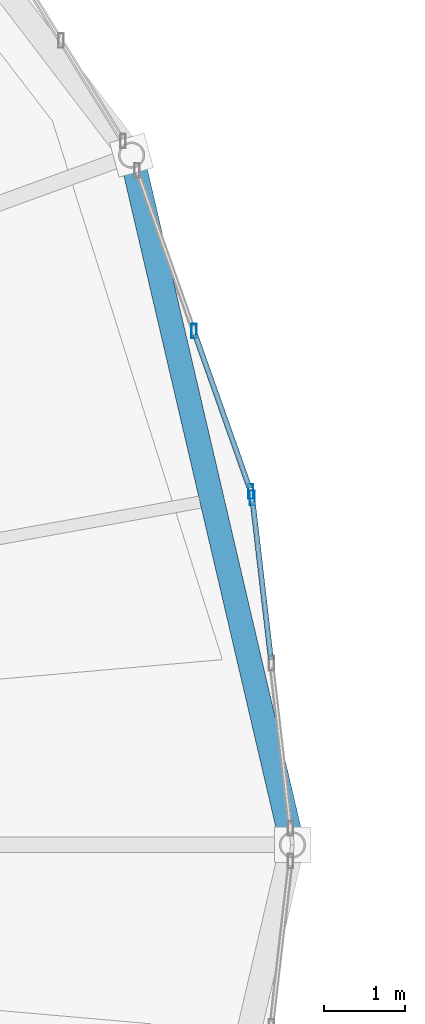
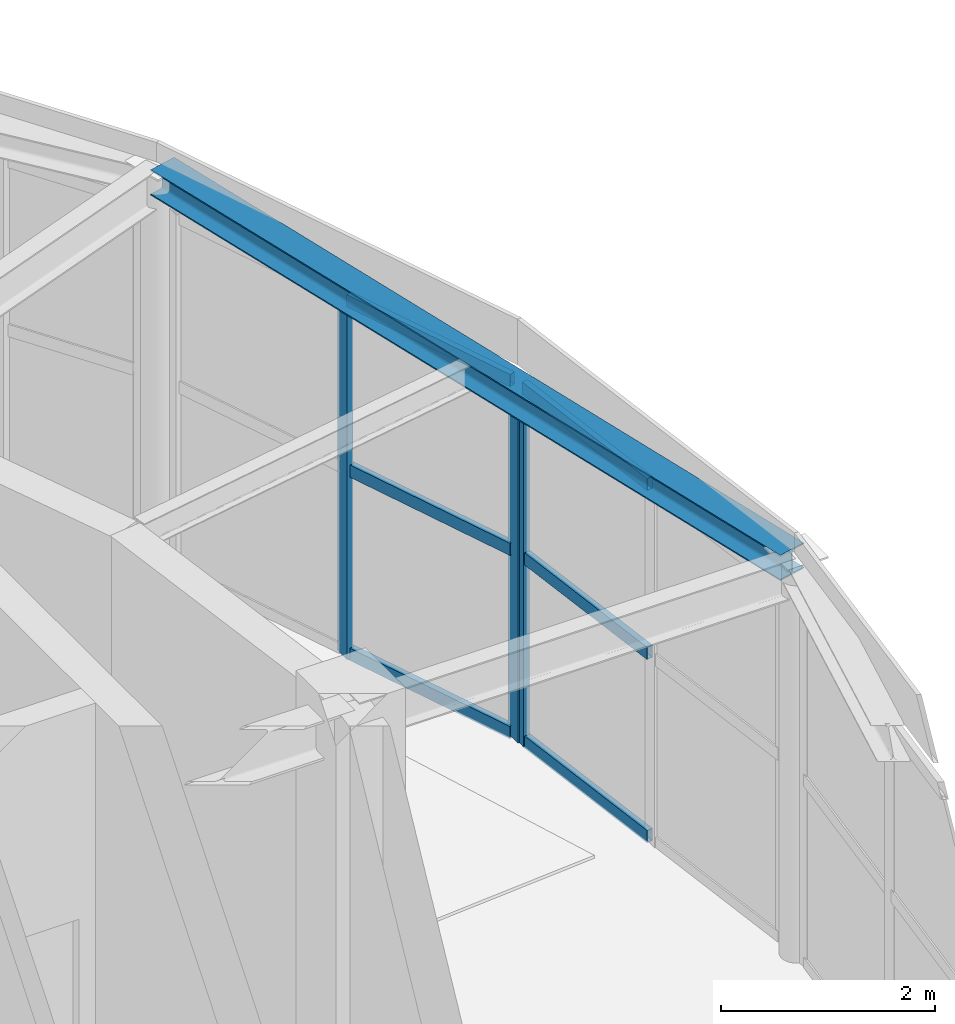
# One storey, part 48 of 108: 9 members, 1 beam, 2 elements without a shape of their own.
"""IFC4 building model written with IfcOpenShell, lengths in metres."""

from ifc_helpers import new_model, si_unit, direction, frame, origin, origin_2d, place, context, subcontext, project, spatial, hollow_rectangle, i_section, extrude, material, material_profile, profile_set, type_object, element, aggregate, save


model = new_model("IFC4")

# Units and contexts
model_context = context("Model", 3, precision=1e-05, world=origin(), true_north=direction((0.0, 1.0)))
body_context = subcontext(model_context, "Body", "Model", "MODEL_VIEW")
ifc_project = project(units=[si_unit("LENGTHUNIT", "METRE"), si_unit("AREAUNIT", "SQUARE_METRE"), si_unit("VOLUMEUNIT", "CUBIC_METRE"), si_unit("PLANEANGLEUNIT", "RADIAN"), si_unit("MASSUNIT", "GRAM", prefix="KILO")], contexts=[model_context])

# Site, building, storey
site_placement = place(None, origin())
site = spatial("IfcSite", under=ifc_project, at=site_placement, CompositionType="ELEMENT")
building_placement = place(site_placement, origin())
building = spatial("IfcBuilding", under=site, at=building_placement, Name="Tarnveldt Headland Concert Hall", CompositionType="ELEMENT")
storey_placement = place(building_placement, frame((0.0, 0.0, 9.60009765625)))
storey = spatial("IfcBuildingStorey", under=building, at=storey_placement, Name="L02", CompositionType="ELEMENT", Elevation=9.60009765625)

# Curtain wall, member
ifc_material_1 = material(Name="Marine-anodised aluminium EN AW-6063-T6", Category="aluminium")
curtain_wall_type = type_object("IfcCurtainWallType", Name="CW-F3", PredefinedType="NOTDEFINED", material=ifc_material_1)
curtain_wall_1_placement = place(storey_placement, origin())
curtain_wall_1 = element("IfcCurtainWall", 1, at=curtain_wall_1_placement, inside=storey, type_object=curtain_wall_type, Name="Curtain wall CW-L02-060", PredefinedType="NOTDEFINED")
ifc_material_profile_1 = material_profile(ifc_material_1, hollow_rectangle(XDim=0.06494140625, YDim=0.179931640625, WallThickness=0.00390625, at=origin_2d()), Name="ALU MULLION 65x180x4", Category="aluminium")
ifc_profile_set_1 = profile_set([ifc_material_profile_1], Name="Marine-anodised aluminium EN AW-6063-T6")
member_type_1 = type_object("IfcMemberType", Name="ML-180", PredefinedType="MULLION", material=ifc_profile_set_1)
member_1_placement = place(storey_placement, frame((115.806396484375, 58.766845703125, 0.0), z_axis=(0.0, 0.0, 1.0), x_axis=(1.0, 0.0, 0.0)))
member_1 = element("IfcMember", 2, at=member_1_placement, type_object=member_type_1, Name="Mullion CW-L02-060-3", PredefinedType="MULLION", context=body_context, shape_type="SweptSolid", body=[
    extrude(hollow_rectangle(XDim=0.06494140625, YDim=0.179931640625, WallThickness=0.00390625, at=origin_2d()), origin(), (0.0, 0.0, 1.0), 4.10791015625),
])

# Curtain wall, members
curtain_wall_2_placement = place(storey_placement, origin())
curtain_wall_2 = element("IfcCurtainWall", 3, at=curtain_wall_2_placement, inside=storey, type_object=curtain_wall_type, Name="Curtain wall CW-L02-061", PredefinedType="NOTDEFINED")
member_2_placement = place(storey_placement, frame((115.788330078125, 58.84423828125, 0.0), z_axis=(0.0, 0.0, 1.0), x_axis=(1.0, 0.0, 0.0)))
member_2 = element("IfcMember", 4, at=member_2_placement, type_object=member_type_1, Name="Mullion CW-L02-061-1", PredefinedType="MULLION", context=body_context, shape_type="SweptSolid", body=[
    extrude(hollow_rectangle(XDim=0.06494140625, YDim=0.179931640625, WallThickness=0.00390625, at=origin_2d()), origin(), (0.0, 0.0, 1.0), 4.10791015625),
])
member_3_placement = place(storey_placement, frame((115.0888671875, 60.81787109375, 0.0), z_axis=(0.0, 0.0, 1.0), x_axis=(1.0, 0.0, 0.0)))
member_3 = element("IfcMember", 5, at=member_3_placement, type_object=member_type_1, Name="Mullion CW-L02-061-2", PredefinedType="MULLION", context=body_context, shape_type="SweptSolid", body=[
    extrude(hollow_rectangle(XDim=0.06494140625, YDim=0.179931640625, WallThickness=0.00390625, at=origin_2d()), origin(), (0.0, 0.0, 1.0), 4.10791015625),
])

# Beam
ifc_material_2 = material(Name="Steel S355", Category="steel")
ifc_material_profile_2 = material_profile(ifc_material_2, i_section(OverallWidth=0.300048828125, OverallDepth=0.2900390625, WebThickness=0.008544921875, FlangeThickness=0.013916015625, FilletRadius=0.027099609375, at=origin_2d()), Name="HEA300", Category="steel")
ifc_profile_set_2 = profile_set([ifc_material_profile_2], Name="Steel S355")
beam_type = type_object("IfcBeamType", Name="SB-HEA300", PredefinedType="SPANDREL", material=ifc_profile_set_2)
beam_placement = place(storey_placement, frame((116.286376953125, 54.558349609375, 4.4248046875), z_axis=(-0.227123591729, 0.973865942561, 0.0), x_axis=(-0.973865942561, -0.227123591729, 0.0)))
element("IfcBeam", 6, at=beam_placement, inside=storey, type_object=beam_type, Name="Framing beam L02-995", PredefinedType="SPANDREL", context=body_context, shape_type="SweptSolid", body=[
    extrude(i_section(OverallWidth=0.300048828125, OverallDepth=0.2900390625, WebThickness=0.008544921875, FlangeThickness=0.013916015625, FilletRadius=0.027099609375, at=origin_2d()), origin(), (0.0, 0.0, 1.0), 8.589599609375),
])

# Member
ifc_material_profile_3 = material_profile(ifc_material_1, hollow_rectangle(XDim=0.06494140625, YDim=0.139892578125, WallThickness=0.00390625, at=origin_2d()), Name="ALU TRANSOM 65x140x4", Category="aluminium")
ifc_profile_set_3 = profile_set([ifc_material_profile_3], Name="Marine-anodised aluminium EN AW-6063-T6")
member_type_2 = type_object("IfcMemberType", Name="TR-140", PredefinedType="MEMBER", material=ifc_profile_set_3)
member_4_placement = place(storey_placement, frame((116.036376953125, 56.77783203125, 0.0498046875), z_axis=(-0.114974356036, 0.993368460066, 0.0), x_axis=(-0.993368460066, -0.114974356036, 0.0)))
member_4 = element("IfcMember", 7, at=member_4_placement, type_object=member_type_2, Name="Transom CW-L02-060-2-1", PredefinedType="MEMBER", context=body_context, shape_type="SweptSolid", body=[
    extrude(hollow_rectangle(XDim=0.06494140625, YDim=0.139892578125, WallThickness=0.00390625, at=origin_2d()), origin(), (0.0, 0.0, 1.0), 1.957763671875),
])

member_5_placement = place(storey_placement, frame((116.036376953125, 56.77783203125, 2.135986328125), z_axis=(-0.114974356036, 0.993368460066, 0.0), x_axis=(-0.993368460066, -0.114974356036, 0.0)))
member_5 = element("IfcMember", 8, at=member_5_placement, type_object=member_type_2, Name="Transom CW-L02-060-2-2", PredefinedType="MEMBER", context=body_context, shape_type="SweptSolid", body=[
    extrude(hollow_rectangle(XDim=0.06494140625, YDim=0.139892578125, WallThickness=0.00390625, at=origin_2d()), origin(), (0.0, 0.0, 1.0), 1.957763671875),
])

member_6_placement = place(storey_placement, frame((116.036376953125, 56.77783203125, 4.057861328125), z_axis=(-0.114974356036, 0.993368460066, 0.0), x_axis=(-0.993368460066, -0.114974356036, 0.0)))
member_6 = element("IfcMember", 9, at=member_6_placement, type_object=member_type_2, Name="Transom CW-L02-060-2-3", PredefinedType="MEMBER", context=body_context, shape_type="SweptSolid", body=[
    extrude(hollow_rectangle(XDim=0.06494140625, YDim=0.139892578125, WallThickness=0.00390625, at=origin_2d()), origin(), (0.0, 0.0, 1.0), 1.957763671875),
])

aggregate(curtain_wall_1, [member_1, member_4, member_5, member_6])

member_7_placement = place(storey_placement, frame((115.7734375, 58.885986328125, 0.0498046875), z_axis=(-0.333998157028, 0.942573727144, 0.0), x_axis=(-0.942573727144, -0.333998157028, 0.0)))
member_7 = element("IfcMember", 10, at=member_7_placement, type_object=member_type_2, Name="Transom CW-L02-061-1-1", PredefinedType="MEMBER", context=body_context, shape_type="SweptSolid", body=[
    extrude(hollow_rectangle(XDim=0.06494140625, YDim=0.139892578125, WallThickness=0.00390625, at=origin_2d()), origin(), (0.0, 0.0, 1.0), 2.005126953125),
])

member_8_placement = place(storey_placement, frame((115.7734375, 58.885986328125, 2.135986328125), z_axis=(-0.333998157028, 0.942573727144, 0.0), x_axis=(-0.942573727144, -0.333998157028, 0.0)))
member_8 = element("IfcMember", 11, at=member_8_placement, type_object=member_type_2, Name="Transom CW-L02-061-1-2", PredefinedType="MEMBER", context=body_context, shape_type="SweptSolid", body=[
    extrude(hollow_rectangle(XDim=0.06494140625, YDim=0.139892578125, WallThickness=0.00390625, at=origin_2d()), origin(), (0.0, 0.0, 1.0), 2.005126953125),
])

member_9_placement = place(storey_placement, frame((115.7734375, 58.885986328125, 4.057861328125), z_axis=(-0.333998157028, 0.942573727144, 0.0), x_axis=(-0.942573727144, -0.333998157028, 0.0)))
member_9 = element("IfcMember", 12, at=member_9_placement, type_object=member_type_2, Name="Transom CW-L02-061-1-3", PredefinedType="MEMBER", context=body_context, shape_type="SweptSolid", body=[
    extrude(hollow_rectangle(XDim=0.06494140625, YDim=0.139892578125, WallThickness=0.00390625, at=origin_2d()), origin(), (0.0, 0.0, 1.0), 2.005126953125),
])

aggregate(curtain_wall_2, [member_2, member_3, member_7, member_8, member_9])

save(model, "model.ifc")
